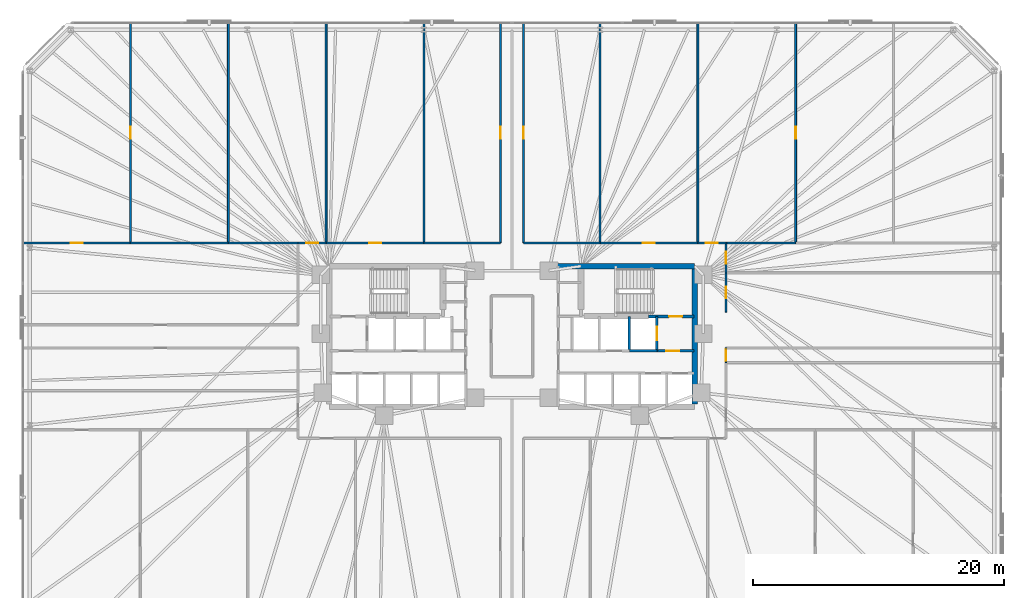
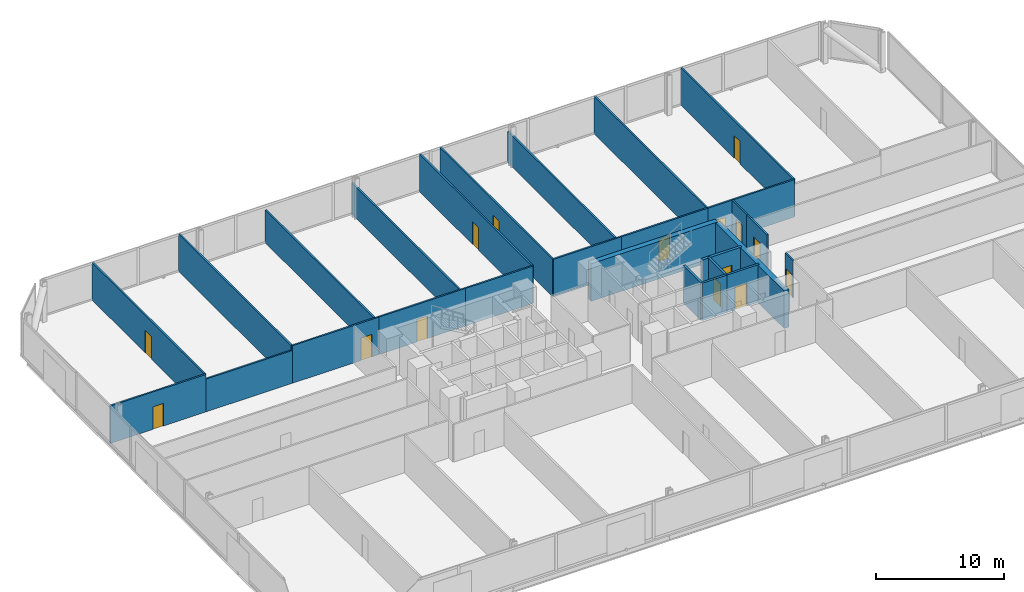
# One storey, part 14 of 17: 29 walls, 15 doors, 15 openings.
"""IFC4 building model written with IfcOpenShell, lengths in metres."""

from ifc_helpers import new_model, si_unit, direction, frame, frame_2d, origin, place, context, subcontext, project, spatial, rectangle, extrude, material, layer, layer_set, type_object, element, fill, save


model = new_model("IFC4")

# Units and contexts
model_context = context("Model", 3, precision=1e-05, world=origin(), true_north=direction((0.0, 1.0)))
body_context = subcontext(model_context, "Body", "Model", "MODEL_VIEW")
ifc_project = project(units=[si_unit("LENGTHUNIT", "METRE"), si_unit("AREAUNIT", "SQUARE_METRE"), si_unit("VOLUMEUNIT", "CUBIC_METRE"), si_unit("PLANEANGLEUNIT", "RADIAN"), si_unit("MASSUNIT", "GRAM", prefix="KILO")], contexts=[model_context])

# Site, building, storey
site_placement = place(None, origin())
site = spatial("IfcSite", under=ifc_project, at=site_placement, CompositionType="ELEMENT")
building_placement = place(site_placement, origin())
building = spatial("IfcBuilding", under=site, at=building_placement, Name="Menara Jurai Vektor", CompositionType="ELEMENT")
storey_placement = place(building_placement, frame((0.0, 0.0, 37.0)))
storey = spatial("IfcBuildingStorey", under=building, at=storey_placement, Name="L08", CompositionType="ELEMENT", Elevation=37.0)

# Wall, opening, door
ifc_material_1 = material(Name="Concrete C40/50", Category="concrete")
ifc_layer_1 = layer(ifc_material_1, 0.25)
ifc_layer_set_1 = layer_set([ifc_layer_1], Name="Concrete C40/50")
wall_type_1 = type_object("IfcWallType", Name="INT-WALL-CORE-250", PredefinedType="STANDARD", material=ifc_layer_set_1)
wall_1_placement = place(storey_placement, frame((10.89990234375, 1.60009765625, 0.0), z_axis=(0.0, 0.0, 1.0), x_axis=(1.0, 0.0, 0.0)))
wall_1 = element("IfcWall", 1, at=wall_1_placement, inside=storey, type_object=wall_type_1, Name="Interior Wall IW-250 L08", PredefinedType="STANDARD", context=body_context, shape_type="SweptSolid", body=[
    extrude(rectangle(XDim=3.60009765625, YDim=0.25, at=frame_2d((1.800048828125, 0.0))), origin(), (0.0, 0.0, 1.0), 3.574951171875),
])
opening_1_placement = place(wall_1_placement, frame((1.6201171875, 0.0, 0.0)))
opening_1 = element("IfcOpeningElement", 2, at=opening_1_placement, cuts=wall_1, Name="Opening D-L08-ST2", PredefinedType="OPENING", context=body_context, shape_type="SweptSolid", body=[
    extrude(rectangle(XDim=1.050048828125, YDim=2.14990234375, at=frame_2d((0.52490234375, 1.074951171875))), frame((0.0, 0.135009765625, 0.0), z_axis=(0.0, -1.0, 0.0), x_axis=(1.0, 0.0, 0.0)), (0.0, 0.0, 1.0), 0.27001953125),
])
ifc_material_2 = material(Name="Fire-Rated Steel Door", Category="steel")
door_type_1 = type_object("IfcDoorType", Name="DR-STAIR-1050", OperationType="NOTDEFINED", PredefinedType="DOOR", material=ifc_material_2)
door_1_placement = place(opening_1_placement, origin())
door_1 = element("IfcDoor", 3, at=door_1_placement, inside=storey, type_object=door_type_1, Name="Exit Stair ST2 Door L08", OperationType="SINGLE_SWING_LEFT", OverallHeight=2.14990234375, OverallWidth=1.050048828125, PredefinedType="DOOR", context=body_context, shape_type="SweptSolid", body=[
    extrude(rectangle(XDim=1.050048828125, YDim=2.14990234375, at=frame_2d((0.52490234375, 1.074951171875))), frame((0.0, 0.02490234375, 0.0), z_axis=(0.0, -1.0, 0.0), x_axis=(1.0, 0.0, 0.0)), (0.0, 0.0, 1.0), 0.050048828125),
])
fill(opening_1, door_1)

wall_2_placement = place(storey_placement, frame((11.550048828125, -1.14990234375, 0.0), z_axis=(0.0, 0.0, 1.0), x_axis=(0.0, 1.0, 0.0)))
wall_2 = element("IfcWall", 4, at=wall_2_placement, inside=storey, type_object=wall_type_1, Name="Interior Wall IW-250 L08", PredefinedType="STANDARD", context=body_context, shape_type="SweptSolid", body=[
    extrude(rectangle(XDim=2.75, YDim=0.199951171875, at=frame_2d((1.375, 0.0))), origin(), (0.0, 0.0, 1.0), 3.574951171875),
])
opening_2_placement = place(wall_2_placement, frame((0.824951171875, 0.0, 0.0)))
opening_2 = element("IfcOpeningElement", 5, at=opening_2_placement, cuts=wall_2, Name="Opening LD-L08-FL2", PredefinedType="OPENING", context=body_context, shape_type="SweptSolid", body=[
    extrude(rectangle(XDim=1.10009765625, YDim=2.14990234375, at=frame_2d((0.550048828125, 1.074951171875))), frame((0.0, 0.10986328125, 0.0), z_axis=(0.0, -1.0, 0.0), x_axis=(1.0, 0.0, 0.0)), (0.0, 0.0, 1.0), 0.219970703125),
])
ifc_material_3 = material(Name="Stainless Steel Sliding Lift Landing Door", Category="steel")
door_type_2 = type_object("IfcDoorType", Name="DR-LIFT-FIRE-1100", OperationType="NOTDEFINED", PredefinedType="DOOR", material=ifc_material_3)
door_2_placement = place(opening_2_placement, origin())
door_2 = element("IfcDoor", 6, at=door_2_placement, inside=storey, type_object=door_type_2, Name="Lift Landing Door FL2 L08", OperationType="SLIDING_TO_RIGHT", OverallHeight=2.14990234375, OverallWidth=1.10009765625, PredefinedType="DOOR", context=body_context, shape_type="SweptSolid", body=[
    extrude(rectangle(XDim=1.10009765625, YDim=2.14990234375, at=frame_2d((0.550048828125, 1.074951171875))), frame((0.0, 0.02490234375, 0.0), z_axis=(0.0, -1.0, 0.0), x_axis=(1.0, 0.0, 0.0)), (0.0, 0.0, 1.0), 0.050048828125),
])
fill(opening_2, door_2)

# Wall
wall_3_placement = place(storey_placement, frame((9.35009765625, -1.14990234375, 0.0), z_axis=(0.0, 0.0, 1.0), x_axis=(0.0, 1.0, 0.0)))
element("IfcWall", 7, at=wall_3_placement, inside=storey, type_object=wall_type_1, Name="Interior Wall IW-250 L08", PredefinedType="STANDARD", context=body_context, shape_type="SweptSolid", body=[
    extrude(rectangle(XDim=2.75, YDim=0.199951171875, at=frame_2d((1.375, 0.0))), origin(), (0.0, 0.0, 1.0), 3.574951171875),
])

# Wall, opening, door
wall_4_placement = place(storey_placement, frame((11.550048828125, -1.14990234375, 0.0), z_axis=(0.0, 0.0, 1.0), x_axis=(1.0, 0.0, 0.0)))
wall_4 = element("IfcWall", 8, at=wall_4_placement, inside=storey, type_object=wall_type_1, Name="Interior Wall IW-250 L08", PredefinedType="STANDARD", context=body_context, shape_type="SweptSolid", body=[
    extrude(rectangle(XDim=2.949951171875, YDim=0.199951171875, at=frame_2d((1.47509765625, 0.0))), origin(), (0.0, 0.0, 1.0), 3.574951171875),
])
opening_3_placement = place(wall_4_placement, frame((0.75, 0.0, 0.0)))
opening_3 = element("IfcOpeningElement", 9, at=opening_3_placement, cuts=wall_4, Name="Opening D-L08-FFE", PredefinedType="OPENING", context=body_context, shape_type="SweptSolid", body=[
    extrude(rectangle(XDim=1.050048828125, YDim=2.179931640625, at=frame_2d((0.52490234375, 1.08984375))), frame((0.0, 0.10986328125, 0.0), z_axis=(0.0, -1.0, 0.0), x_axis=(1.0, 0.0, 0.0)), (0.0, 0.0, 1.0), 0.219970703125),
])
ifc_material_4 = material(Name="Fire-Rated Timber Door", Category="wood")
door_type_3 = type_object("IfcDoorType", Name="DR-LOBBY-1050", OperationType="NOTDEFINED", PredefinedType="DOOR", material=ifc_material_4)
door_3_placement = place(opening_3_placement, origin())
door_3 = element("IfcDoor", 10, at=door_3_placement, inside=storey, type_object=door_type_3, Name="Fire Lift Lobby Door E L08", OperationType="SINGLE_SWING_LEFT", OverallHeight=2.179931640625, OverallWidth=1.050048828125, PredefinedType="DOOR", context=body_context, shape_type="SweptSolid", body=[
    extrude(rectangle(XDim=1.050048828125, YDim=2.179931640625, at=frame_2d((0.52490234375, 1.08984375))), frame((0.0, 0.02490234375, 0.0), z_axis=(0.0, -1.0, 0.0), x_axis=(1.0, 0.0, 0.0)), (0.0, 0.0, 1.0), 0.050048828125),
])
fill(opening_3, door_3)

# Wall
wall_5_placement = place(storey_placement, frame((9.35009765625, -1.14990234375, 0.0), z_axis=(0.0, 0.0, 1.0), x_axis=(1.0, 0.0, 0.0)))
element("IfcWall", 11, at=wall_5_placement, inside=storey, type_object=wall_type_1, Name="Interior Wall IW-250 L08", PredefinedType="STANDARD", context=body_context, shape_type="SweptSolid", body=[
    extrude(rectangle(XDim=2.199951171875, YDim=0.199951171875, at=frame_2d((1.10009765625, 0.0))), origin(), (0.0, 0.0, 1.0), 3.574951171875),
])

# Wall, opening, door
ifc_material_5 = material(Name="Gypsum Fireboard Partition", Category="gypsum")
ifc_layer_2 = layer(ifc_material_5, 0.14990234375)
ifc_layer_set_2 = layer_set([ifc_layer_2], Name="Gypsum Fireboard Partition")
wall_type_2 = type_object("IfcWallType", Name="INT-WALL-CORR-150", PredefinedType="PARTITIONING", material=ifc_layer_set_2)
wall_6_placement = place(storey_placement, frame((-17.05908203125, 7.449951171875, 0.0), z_axis=(0.0, 0.0, 1.0), x_axis=(1.0, 0.0, 0.0)))
wall_6 = element("IfcWall", 12, at=wall_6_placement, inside=storey, type_object=wall_type_2, Name="Interior Wall IW-150 L08", PredefinedType="PARTITIONING", context=body_context, shape_type="SweptSolid", body=[
    extrude(rectangle(XDim=2.239013671875, YDim=0.14990234375, at=frame_2d((1.11962890625, 0.0))), origin(), (0.0, 0.0, 1.0), 3.574951171875),
])
opening_4_placement = place(wall_6_placement, frame((0.64453125, 0.0, 0.0)))
opening_4 = element("IfcOpeningElement", 13, at=opening_4_placement, cuts=wall_6, Name="Opening D08-07", PredefinedType="OPENING", context=body_context, shape_type="SweptSolid", body=[
    extrude(rectangle(XDim=0.949951171875, YDim=2.14990234375, at=frame_2d((0.47509765625, 1.074951171875))), frame((0.0, 0.0849609375, 0.0), z_axis=(0.0, -1.0, 0.0), x_axis=(1.0, 0.0, 0.0)), (0.0, 0.0, 1.0), 0.169921875),
])
ifc_material_6 = material(Name="Solid Core Timber Fire Door", Category="wood")
door_type_4 = type_object("IfcDoorType", Name="DR-ENTRY-950", OperationType="NOTDEFINED", PredefinedType="DOOR", material=ifc_material_6)
door_4_placement = place(opening_4_placement, origin())
door_4 = element("IfcDoor", 14, at=door_4_placement, inside=storey, type_object=door_type_4, Name="Interior Door D08-07", OperationType="SINGLE_SWING_RIGHT", OverallHeight=2.14990234375, OverallWidth=0.949951171875, PredefinedType="DOOR", context=body_context, shape_type="SweptSolid", body=[
    extrude(rectangle(XDim=0.949951171875, YDim=2.14990234375, at=frame_2d((0.47509765625, 1.074951171875))), frame((0.0, 0.02490234375, 0.0), z_axis=(0.0, -1.0, 0.0), x_axis=(1.0, 0.0, 0.0)), (0.0, 0.0, 1.0), 0.050048828125),
])
fill(opening_4, door_4)

wall_7_placement = place(storey_placement, frame((-14.820068359375, 7.449951171875, 0.0), z_axis=(0.0, 0.0, 1.0), x_axis=(1.0, 0.0, 0.0)))
wall_7 = element("IfcWall", 15, at=wall_7_placement, inside=storey, type_object=wall_type_2, Name="Interior Wall IW-150 L08", PredefinedType="PARTITIONING", context=body_context, shape_type="SweptSolid", body=[
    extrude(rectangle(XDim=7.800048828125, YDim=0.14990234375, at=frame_2d((3.89990234375, 0.0))), origin(), (0.0, 0.0, 1.0), 3.574951171875),
])
opening_5_placement = place(wall_7_placement, frame((3.425048828125, 0.0, 0.0)))
opening_5 = element("IfcOpeningElement", 16, at=opening_5_placement, cuts=wall_7, Name="Opening D08-08", PredefinedType="OPENING", context=body_context, shape_type="SweptSolid", body=[
    extrude(rectangle(XDim=0.949951171875, YDim=2.14990234375, at=frame_2d((0.47509765625, 1.074951171875))), frame((0.0, 0.0849609375, 0.0), z_axis=(0.0, -1.0, 0.0), x_axis=(1.0, 0.0, 0.0)), (0.0, 0.0, 1.0), 0.169921875),
])
door_5_placement = place(opening_5_placement, origin())
door_5 = element("IfcDoor", 17, at=door_5_placement, inside=storey, type_object=door_type_4, Name="Interior Door D08-08", OperationType="SINGLE_SWING_LEFT", OverallHeight=2.14990234375, OverallWidth=0.949951171875, PredefinedType="DOOR", context=body_context, shape_type="SweptSolid", body=[
    extrude(rectangle(XDim=0.949951171875, YDim=2.14990234375, at=frame_2d((0.47509765625, 1.074951171875))), frame((0.0, 0.02490234375, 0.0), z_axis=(0.0, -1.0, 0.0), x_axis=(1.0, 0.0, 0.0)), (0.0, 0.0, 1.0), 0.050048828125),
])
fill(opening_5, door_5)

# Wall
wall_8_placement = place(storey_placement, frame((-7.02001953125, 7.449951171875, 0.0), z_axis=(0.0, 0.0, 1.0), x_axis=(1.0, 0.0, 0.0)))
element("IfcWall", 18, at=wall_8_placement, inside=storey, type_object=wall_type_2, Name="Interior Wall IW-150 L08", PredefinedType="PARTITIONING", context=body_context, shape_type="SweptSolid", body=[
    extrude(rectangle(XDim=6.10009765625, YDim=0.14990234375, at=frame_2d((3.050048828125, 0.0))), origin(), (0.0, 0.0, 1.0), 3.574951171875),
])

# Wall, opening, door
wall_9_placement = place(storey_placement, frame((-0.919921875, 7.449951171875, 0.0), z_axis=(0.0, 0.0, 1.0), x_axis=(0.0, 1.0, 0.0)))
wall_9 = element("IfcWall", 19, at=wall_9_placement, inside=storey, type_object=wall_type_2, Name="Interior Wall IW-150 L08", PredefinedType="PARTITIONING", context=body_context, shape_type="SweptSolid", body=[
    extrude(rectangle(XDim=17.550048828125, YDim=0.14990234375, at=frame_2d((8.77490234375, 0.0))), origin(), (0.0, 0.0, 1.0), 3.574951171875),
])
opening_6_placement = place(wall_9_placement, frame((8.300048828125, 0.0, 0.0)))
opening_6 = element("IfcOpeningElement", 20, at=opening_6_placement, cuts=wall_9, Name="Opening D08-09", PredefinedType="OPENING", context=body_context, shape_type="SweptSolid", body=[
    extrude(rectangle(XDim=0.949951171875, YDim=2.14990234375, at=frame_2d((0.47509765625, 1.074951171875))), frame((0.0, 0.0849609375, 0.0), z_axis=(0.0, -1.0, 0.0), x_axis=(1.0, 0.0, 0.0)), (0.0, 0.0, 1.0), 0.169921875),
])
door_6_placement = place(opening_6_placement, origin())
door_6 = element("IfcDoor", 21, at=door_6_placement, inside=storey, type_object=door_type_4, Name="Interior Door D08-09", OperationType="SINGLE_SWING_RIGHT", OverallHeight=2.14990234375, OverallWidth=0.949951171875, PredefinedType="DOOR", context=body_context, shape_type="SweptSolid", body=[
    extrude(rectangle(XDim=0.949951171875, YDim=2.14990234375, at=frame_2d((0.47509765625, 1.074951171875))), frame((0.0, 0.02490234375, 0.0), z_axis=(0.0, -1.0, 0.0), x_axis=(1.0, 0.0, 0.0)), (0.0, 0.0, 1.0), 0.050048828125),
])
fill(opening_6, door_6)

wall_10_placement = place(storey_placement, frame((0.919921875, 7.449951171875, 0.0), z_axis=(0.0, 0.0, 1.0), x_axis=(0.0, 1.0, 0.0)))
wall_10 = element("IfcWall", 22, at=wall_10_placement, inside=storey, type_object=wall_type_2, Name="Interior Wall IW-150 L08", PredefinedType="PARTITIONING", context=body_context, shape_type="SweptSolid", body=[
    extrude(rectangle(XDim=17.550048828125, YDim=0.14990234375, at=frame_2d((8.77490234375, 0.0))), origin(), (0.0, 0.0, 1.0), 3.574951171875),
])
opening_7_placement = place(wall_10_placement, frame((8.300048828125, 0.0, 0.0)))
opening_7 = element("IfcOpeningElement", 23, at=opening_7_placement, cuts=wall_10, Name="Opening D08-10", PredefinedType="OPENING", context=body_context, shape_type="SweptSolid", body=[
    extrude(rectangle(XDim=0.949951171875, YDim=2.14990234375, at=frame_2d((0.47509765625, 1.074951171875))), frame((0.0, 0.0849609375, 0.0), z_axis=(0.0, -1.0, 0.0), x_axis=(1.0, 0.0, 0.0)), (0.0, 0.0, 1.0), 0.169921875),
])
door_7_placement = place(opening_7_placement, origin())
door_7 = element("IfcDoor", 24, at=door_7_placement, inside=storey, type_object=door_type_4, Name="Interior Door D08-10", OperationType="SINGLE_SWING_LEFT", OverallHeight=2.14990234375, OverallWidth=0.949951171875, PredefinedType="DOOR", context=body_context, shape_type="SweptSolid", body=[
    extrude(rectangle(XDim=0.949951171875, YDim=2.14990234375, at=frame_2d((0.47509765625, 1.074951171875))), frame((0.0, 0.02490234375, 0.0), z_axis=(0.0, -1.0, 0.0), x_axis=(1.0, 0.0, 0.0)), (0.0, 0.0, 1.0), 0.050048828125),
])
fill(opening_7, door_7)

# Wall
wall_11_placement = place(storey_placement, frame((0.919921875, 7.449951171875, 0.0), z_axis=(0.0, 0.0, 1.0), x_axis=(1.0, 0.0, 0.0)))
element("IfcWall", 25, at=wall_11_placement, inside=storey, type_object=wall_type_2, Name="Interior Wall IW-150 L08", PredefinedType="PARTITIONING", context=body_context, shape_type="SweptSolid", body=[
    extrude(rectangle(XDim=6.10009765625, YDim=0.14990234375, at=frame_2d((3.050048828125, 0.0))), origin(), (0.0, 0.0, 1.0), 3.574951171875),
])

# Wall, opening, door
wall_12_placement = place(storey_placement, frame((7.02001953125, 7.449951171875, 0.0), z_axis=(0.0, 0.0, 1.0), x_axis=(1.0, 0.0, 0.0)))
wall_12 = element("IfcWall", 26, at=wall_12_placement, inside=storey, type_object=wall_type_2, Name="Interior Wall IW-150 L08", PredefinedType="PARTITIONING", context=body_context, shape_type="SweptSolid", body=[
    extrude(rectangle(XDim=7.800048828125, YDim=0.14990234375, at=frame_2d((3.89990234375, 0.0))), origin(), (0.0, 0.0, 1.0), 3.574951171875),
])
opening_8_placement = place(wall_12_placement, frame((3.425048828125, 0.0, 0.0)))
opening_8 = element("IfcOpeningElement", 27, at=opening_8_placement, cuts=wall_12, Name="Opening D08-11", PredefinedType="OPENING", context=body_context, shape_type="SweptSolid", body=[
    extrude(rectangle(XDim=0.949951171875, YDim=2.14990234375, at=frame_2d((0.47509765625, 1.074951171875))), frame((0.0, 0.0849609375, 0.0), z_axis=(0.0, -1.0, 0.0), x_axis=(1.0, 0.0, 0.0)), (0.0, 0.0, 1.0), 0.169921875),
])
door_8_placement = place(opening_8_placement, origin())
door_8 = element("IfcDoor", 28, at=door_8_placement, inside=storey, type_object=door_type_4, Name="Interior Door D08-11", OperationType="SINGLE_SWING_RIGHT", OverallHeight=2.14990234375, OverallWidth=0.949951171875, PredefinedType="DOOR", context=body_context, shape_type="SweptSolid", body=[
    extrude(rectangle(XDim=0.949951171875, YDim=2.14990234375, at=frame_2d((0.47509765625, 1.074951171875))), frame((0.0, 0.02490234375, 0.0), z_axis=(0.0, -1.0, 0.0), x_axis=(1.0, 0.0, 0.0)), (0.0, 0.0, 1.0), 0.050048828125),
])
fill(opening_8, door_8)

wall_13_placement = place(storey_placement, frame((14.820068359375, 7.449951171875, 0.0), z_axis=(0.0, 0.0, 1.0), x_axis=(1.0, 0.0, 0.0)))
wall_13 = element("IfcWall", 29, at=wall_13_placement, inside=storey, type_object=wall_type_2, Name="Interior Wall IW-150 L08", PredefinedType="PARTITIONING", context=body_context, shape_type="SweptSolid", body=[
    extrude(rectangle(XDim=2.239013671875, YDim=0.14990234375, at=frame_2d((1.11962890625, 0.0))), origin(), (0.0, 0.0, 1.0), 3.574951171875),
])
opening_9_placement = place(wall_13_placement, frame((0.64453125, 0.0, 0.0)))
opening_9 = element("IfcOpeningElement", 30, at=opening_9_placement, cuts=wall_13, Name="Opening D08-12", PredefinedType="OPENING", context=body_context, shape_type="SweptSolid", body=[
    extrude(rectangle(XDim=0.949951171875, YDim=2.14990234375, at=frame_2d((0.47509765625, 1.074951171875))), frame((0.0, 0.0849609375, 0.0), z_axis=(0.0, -1.0, 0.0), x_axis=(1.0, 0.0, 0.0)), (0.0, 0.0, 1.0), 0.169921875),
])
door_9_placement = place(opening_9_placement, origin())
door_9 = element("IfcDoor", 31, at=door_9_placement, inside=storey, type_object=door_type_4, Name="Interior Door D08-12", OperationType="SINGLE_SWING_LEFT", OverallHeight=2.14990234375, OverallWidth=0.949951171875, PredefinedType="DOOR", context=body_context, shape_type="SweptSolid", body=[
    extrude(rectangle(XDim=0.949951171875, YDim=2.14990234375, at=frame_2d((0.47509765625, 1.074951171875))), frame((0.0, 0.02490234375, 0.0), z_axis=(0.0, -1.0, 0.0), x_axis=(1.0, 0.0, 0.0)), (0.0, 0.0, 1.0), 0.050048828125),
])
fill(opening_9, door_9)

wall_14_placement = place(storey_placement, frame((17.05908203125, -2.0859375, 0.0), z_axis=(0.0, 0.0, 1.0), x_axis=(0.0, 1.0, 0.0)))
wall_14 = element("IfcWall", 32, at=wall_14_placement, inside=storey, type_object=wall_type_2, Name="Interior Wall IW-150 L08", PredefinedType="PARTITIONING", context=body_context, shape_type="SweptSolid", body=[
    extrude(rectangle(XDim=1.166015625, YDim=0.14990234375, at=frame_2d((0.5830078125, 0.0))), origin(), (0.0, 0.0, 1.0), 3.574951171875),
])
opening_10_placement = place(wall_14_placement, frame((0.1201171875, 0.0, 0.0)))
opening_10 = element("IfcOpeningElement", 33, at=opening_10_placement, cuts=wall_14, Name="Opening D08-22", PredefinedType="OPENING", context=body_context, shape_type="SweptSolid", body=[
    extrude(rectangle(XDim=0.926025390625, YDim=2.14990234375, at=frame_2d((0.462890625, 1.074951171875))), frame((0.0, 0.0849609375, 0.0), z_axis=(0.0, -1.0, 0.0), x_axis=(1.0, 0.0, 0.0)), (0.0, 0.0, 1.0), 0.169921875),
])
door_10_placement = place(opening_10_placement, origin())
door_10 = element("IfcDoor", 34, at=door_10_placement, inside=storey, type_object=door_type_4, Name="Interior Door D08-22", OperationType="SINGLE_SWING_LEFT", OverallHeight=2.14990234375, OverallWidth=0.926025390625, PredefinedType="DOOR", context=body_context, shape_type="SweptSolid", body=[
    extrude(rectangle(XDim=0.926025390625, YDim=2.14990234375, at=frame_2d((0.462890625, 1.074951171875))), frame((0.0, 0.02490234375, 0.0), z_axis=(0.0, -1.0, 0.0), x_axis=(1.0, 0.0, 0.0)), (0.0, 0.0, 1.0), 0.050048828125),
])
fill(opening_10, door_10)

wall_15_placement = place(storey_placement, frame((17.05908203125, 1.93701171875, 0.0), z_axis=(0.0, 0.0, 1.0), x_axis=(0.0, 1.0, 0.0)))
wall_15 = element("IfcWall", 35, at=wall_15_placement, inside=storey, type_object=wall_type_2, Name="Interior Wall IW-150 L08", PredefinedType="PARTITIONING", context=body_context, shape_type="SweptSolid", body=[
    extrude(rectangle(XDim=3.12890625, YDim=0.14990234375, at=frame_2d((1.564453125, 0.0))), origin(), (0.0, 0.0, 1.0), 3.574951171875),
])
opening_11_placement = place(wall_15_placement, frame((1.089599609375, 0.0, 0.0)))
opening_11 = element("IfcOpeningElement", 36, at=opening_11_placement, cuts=wall_15, Name="Opening D08-23", PredefinedType="OPENING", context=body_context, shape_type="SweptSolid", body=[
    extrude(rectangle(XDim=0.949951171875, YDim=2.14990234375, at=frame_2d((0.47509765625, 1.074951171875))), frame((0.0, 0.0849609375, 0.0), z_axis=(0.0, -1.0, 0.0), x_axis=(1.0, 0.0, 0.0)), (0.0, 0.0, 1.0), 0.169921875),
])
door_11_placement = place(opening_11_placement, origin())
door_11 = element("IfcDoor", 37, at=door_11_placement, inside=storey, type_object=door_type_4, Name="Interior Door D08-23", OperationType="SINGLE_SWING_RIGHT", OverallHeight=2.14990234375, OverallWidth=0.949951171875, PredefinedType="DOOR", context=body_context, shape_type="SweptSolid", body=[
    extrude(rectangle(XDim=0.949951171875, YDim=2.14990234375, at=frame_2d((0.47509765625, 1.074951171875))), frame((0.0, 0.02490234375, 0.0), z_axis=(0.0, -1.0, 0.0), x_axis=(1.0, 0.0, 0.0)), (0.0, 0.0, 1.0), 0.050048828125),
])
fill(opening_11, door_11)

wall_16_placement = place(storey_placement, frame((17.05908203125, 5.06591796875, 0.0), z_axis=(0.0, 0.0, 1.0), x_axis=(0.0, 1.0, 0.0)))
wall_16 = element("IfcWall", 38, at=wall_16_placement, inside=storey, type_object=wall_type_2, Name="Interior Wall IW-150 L08", PredefinedType="PARTITIONING", context=body_context, shape_type="SweptSolid", body=[
    extrude(rectangle(XDim=2.384033203125, YDim=0.14990234375, at=frame_2d((1.19189453125, 0.0))), origin(), (0.0, 0.0, 1.0), 3.574951171875),
])
opening_12_placement = place(wall_16_placement, frame((0.717041015625, 0.0, 0.0)))
opening_12 = element("IfcOpeningElement", 39, at=opening_12_placement, cuts=wall_16, Name="Opening D08-24", PredefinedType="OPENING", context=body_context, shape_type="SweptSolid", body=[
    extrude(rectangle(XDim=0.949951171875, YDim=2.14990234375, at=frame_2d((0.47509765625, 1.074951171875))), frame((0.0, 0.0849609375, 0.0), z_axis=(0.0, -1.0, 0.0), x_axis=(1.0, 0.0, 0.0)), (0.0, 0.0, 1.0), 0.169921875),
])
door_12_placement = place(opening_12_placement, origin())
door_12 = element("IfcDoor", 40, at=door_12_placement, inside=storey, type_object=door_type_4, Name="Interior Door D08-24", OperationType="SINGLE_SWING_LEFT", OverallHeight=2.14990234375, OverallWidth=0.949951171875, PredefinedType="DOOR", context=body_context, shape_type="SweptSolid", body=[
    extrude(rectangle(XDim=0.949951171875, YDim=2.14990234375, at=frame_2d((0.47509765625, 1.074951171875))), frame((0.0, 0.02490234375, 0.0), z_axis=(0.0, -1.0, 0.0), x_axis=(1.0, 0.0, 0.0)), (0.0, 0.0, 1.0), 0.050048828125),
])
fill(opening_12, door_12)

wall_17_placement = place(storey_placement, frame((-30.419921875, 7.449951171875, 0.0), z_axis=(0.0, 0.0, 1.0), x_axis=(0.0, 1.0, 0.0)))
wall_17 = element("IfcWall", 41, at=wall_17_placement, inside=storey, type_object=wall_type_2, Name="Interior Wall IW-150 L08", PredefinedType="PARTITIONING", context=body_context, shape_type="SweptSolid", body=[
    extrude(rectangle(XDim=17.550048828125, YDim=0.14990234375, at=frame_2d((8.77490234375, 0.0))), origin(), (0.0, 0.0, 1.0), 3.574951171875),
])
opening_13_placement = place(wall_17_placement, frame((8.300048828125, 0.0, 0.0)))
opening_13 = element("IfcOpeningElement", 42, at=opening_13_placement, cuts=wall_17, Name="Opening D08-26", PredefinedType="OPENING", context=body_context, shape_type="SweptSolid", body=[
    extrude(rectangle(XDim=0.949951171875, YDim=2.14990234375, at=frame_2d((0.47509765625, 1.074951171875))), frame((0.0, 0.0849609375, 0.0), z_axis=(0.0, -1.0, 0.0), x_axis=(1.0, 0.0, 0.0)), (0.0, 0.0, 1.0), 0.169921875),
])
door_13_placement = place(opening_13_placement, origin())
door_13 = element("IfcDoor", 43, at=door_13_placement, inside=storey, type_object=door_type_4, Name="Interior Door D08-26", OperationType="SINGLE_SWING_LEFT", OverallHeight=2.14990234375, OverallWidth=0.949951171875, PredefinedType="DOOR", context=body_context, shape_type="SweptSolid", body=[
    extrude(rectangle(XDim=0.949951171875, YDim=2.14990234375, at=frame_2d((0.47509765625, 1.074951171875))), frame((0.0, 0.02490234375, 0.0), z_axis=(0.0, -1.0, 0.0), x_axis=(1.0, 0.0, 0.0)), (0.0, 0.0, 1.0), 0.050048828125),
])
fill(opening_13, door_13)

wall_18_placement = place(storey_placement, frame((-39.0, 7.449951171875, 0.0), z_axis=(0.0, 0.0, 1.0), x_axis=(1.0, 0.0, 0.0)))
wall_18 = element("IfcWall", 44, at=wall_18_placement, inside=storey, type_object=wall_type_2, Name="Interior Wall IW-150 L08", PredefinedType="PARTITIONING", context=body_context, shape_type="SweptSolid", body=[
    extrude(rectangle(XDim=8.580078125, YDim=0.14990234375, at=frame_2d((4.2900390625, 0.0))), origin(), (0.0, 0.0, 1.0), 3.574951171875),
])
opening_14_placement = place(wall_18_placement, frame((3.81494140625, 0.0, 0.0)))
opening_14 = element("IfcOpeningElement", 45, at=opening_14_placement, cuts=wall_18, Name="Opening D08-25", PredefinedType="OPENING", context=body_context, shape_type="SweptSolid", body=[
    extrude(rectangle(XDim=0.949951171875, YDim=2.14990234375, at=frame_2d((0.47509765625, 1.074951171875))), frame((0.0, 0.0849609375, 0.0), z_axis=(0.0, -1.0, 0.0), x_axis=(1.0, 0.0, 0.0)), (0.0, 0.0, 1.0), 0.169921875),
])
door_14_placement = place(opening_14_placement, origin())
door_14 = element("IfcDoor", 46, at=door_14_placement, inside=storey, type_object=door_type_4, Name="Interior Door D08-25", OperationType="SINGLE_SWING_RIGHT", OverallHeight=2.14990234375, OverallWidth=0.949951171875, PredefinedType="DOOR", context=body_context, shape_type="SweptSolid", body=[
    extrude(rectangle(XDim=0.949951171875, YDim=2.14990234375, at=frame_2d((0.47509765625, 1.074951171875))), frame((0.0, 0.02490234375, 0.0), z_axis=(0.0, -1.0, 0.0), x_axis=(1.0, 0.0, 0.0)), (0.0, 0.0, 1.0), 0.050048828125),
])
fill(opening_14, door_14)

# Walls
wall_19_placement = place(storey_placement, frame((-22.6201171875, 7.449951171875, 0.0), z_axis=(0.0, 0.0, 1.0), x_axis=(0.0, 1.0, 0.0)))
element("IfcWall", 47, at=wall_19_placement, inside=storey, type_object=wall_type_2, Name="Interior Wall IW-150 L08", PredefinedType="PARTITIONING", context=body_context, shape_type="SweptSolid", body=[
    extrude(rectangle(XDim=17.550048828125, YDim=0.14990234375, at=frame_2d((8.77490234375, 0.0))), origin(), (0.0, 0.0, 1.0), 3.574951171875),
])
wall_20_placement = place(storey_placement, frame((-22.6201171875, 7.449951171875, 0.0), z_axis=(0.0, 0.0, 1.0), x_axis=(1.0, 0.0, 0.0)))
element("IfcWall", 48, at=wall_20_placement, inside=storey, type_object=wall_type_2, Name="Interior Wall IW-150 L08", PredefinedType="PARTITIONING", context=body_context, shape_type="SweptSolid", body=[
    extrude(rectangle(XDim=5.56103515625, YDim=0.14990234375, at=frame_2d((2.780517578125, 0.0))), origin(), (0.0, 0.0, 1.0), 3.574951171875),
])
wall_21_placement = place(storey_placement, frame((14.820068359375, 7.449951171875, 0.0), z_axis=(0.0, 0.0, 1.0), x_axis=(0.0, 1.0, 0.0)))
element("IfcWall", 49, at=wall_21_placement, inside=storey, type_object=wall_type_2, Name="Interior Wall IW-150 L08", PredefinedType="PARTITIONING", context=body_context, shape_type="SweptSolid", body=[
    extrude(rectangle(XDim=17.550048828125, YDim=0.14990234375, at=frame_2d((8.77490234375, 0.0))), origin(), (0.0, 0.0, 1.0), 3.574951171875),
])

# Wall, opening, door
wall_22_placement = place(storey_placement, frame((22.6201171875, 7.449951171875, 0.0), z_axis=(0.0, 0.0, 1.0), x_axis=(0.0, 1.0, 0.0)))
wall_22 = element("IfcWall", 50, at=wall_22_placement, inside=storey, type_object=wall_type_2, Name="Interior Wall IW-150 L08", PredefinedType="PARTITIONING", context=body_context, shape_type="SweptSolid", body=[
    extrude(rectangle(XDim=17.550048828125, YDim=0.14990234375, at=frame_2d((8.77490234375, 0.0))), origin(), (0.0, 0.0, 1.0), 3.574951171875),
])
opening_15_placement = place(wall_22_placement, frame((8.300048828125, 0.0, 0.0)))
opening_15 = element("IfcOpeningElement", 51, at=opening_15_placement, cuts=wall_22, Name="Opening D08-27", PredefinedType="OPENING", context=body_context, shape_type="SweptSolid", body=[
    extrude(rectangle(XDim=0.949951171875, YDim=2.14990234375, at=frame_2d((0.47509765625, 1.074951171875))), frame((0.0, 0.0849609375, 0.0), z_axis=(0.0, -1.0, 0.0), x_axis=(1.0, 0.0, 0.0)), (0.0, 0.0, 1.0), 0.169921875),
])
door_15_placement = place(opening_15_placement, origin())
door_15 = element("IfcDoor", 52, at=door_15_placement, inside=storey, type_object=door_type_4, Name="Interior Door D08-27", OperationType="SINGLE_SWING_RIGHT", OverallHeight=2.14990234375, OverallWidth=0.949951171875, PredefinedType="DOOR", context=body_context, shape_type="SweptSolid", body=[
    extrude(rectangle(XDim=0.949951171875, YDim=2.14990234375, at=frame_2d((0.47509765625, 1.074951171875))), frame((0.0, 0.02490234375, 0.0), z_axis=(0.0, -1.0, 0.0), x_axis=(1.0, 0.0, 0.0)), (0.0, 0.0, 1.0), 0.050048828125),
])
fill(opening_15, door_15)

# Walls
wall_23_placement = place(storey_placement, frame((17.05908203125, 7.449951171875, 0.0), z_axis=(0.0, 0.0, 1.0), x_axis=(1.0, 0.0, 0.0)))
element("IfcWall", 53, at=wall_23_placement, inside=storey, type_object=wall_type_2, Name="Interior Wall IW-150 L08", PredefinedType="PARTITIONING", context=body_context, shape_type="SweptSolid", body=[
    extrude(rectangle(XDim=5.56103515625, YDim=0.14990234375, at=frame_2d((2.780517578125, 0.0))), origin(), (0.0, 0.0, 1.0), 3.574951171875),
])
ifc_layer_3 = layer(ifc_material_5, 0.14990234375)
ifc_layer_set_3 = layer_set([ifc_layer_3], Name="Gypsum Fireboard Partition")
wall_type_3 = type_object("IfcWallType", Name="INT-WALL-CORR-150-H1", PredefinedType="PARTITIONING", material=ifc_layer_set_3)
wall_24_placement = place(storey_placement, frame((-30.419921875, 7.449951171875, 0.0), z_axis=(0.0, 0.0, 1.0), x_axis=(1.0, 0.0, 0.0)))
element("IfcWall", 54, at=wall_24_placement, inside=storey, type_object=wall_type_3, Name="Interior Wall IW-150 L08", PredefinedType="PARTITIONING", context=body_context, shape_type="SweptSolid", body=[
    extrude(rectangle(XDim=7.7998046875, YDim=0.14990234375, at=frame_2d((3.89990234375, 0.0))), origin(), (0.0, 0.0, 1.0), 3.125),
])
wall_25_placement = place(storey_placement, frame((-14.820068359375, 7.449951171875, 0.0), z_axis=(0.0, 0.0, 1.0), x_axis=(0.0, 1.0, 0.0)))
element("IfcWall", 55, at=wall_25_placement, inside=storey, type_object=wall_type_3, Name="Interior Wall IW-150 L08", PredefinedType="PARTITIONING", context=body_context, shape_type="SweptSolid", body=[
    extrude(rectangle(XDim=17.550048828125, YDim=0.14990234375, at=frame_2d((8.77490234375, 0.0))), origin(), (0.0, 0.0, 1.0), 3.125),
])
ifc_layer_4 = layer(ifc_material_5, 0.14990234375)
ifc_layer_set_4 = layer_set([ifc_layer_4], Name="Gypsum Fireboard Partition")
wall_type_4 = type_object("IfcWallType", Name="INT-WALL-CORR-150-H2", PredefinedType="PARTITIONING", material=ifc_layer_set_4)
for number, where, z_axis, x_axis, name in (
    (56, (-7.02001953125, 7.449951171875, 0.0), (0.0, 0.0, 1.0), (0.0, 1.0, 0.0), "Interior Wall IW-150 L08"),
    (57, (7.02001953125, 7.449951171875, 0.0), (0.0, 0.0, 1.0), (0.0, 1.0, 0.0), "Interior Wall IW-150 L08"),
):
    element("IfcWall", number, at=place(storey_placement, frame(where, z_axis=z_axis, x_axis=x_axis)), inside=storey, type_object=wall_type_4, Name=name, PredefinedType="PARTITIONING", context=body_context, shape_type="SweptSolid", body=[
        extrude(rectangle(XDim=17.550048828125, YDim=0.14990234375, at=frame_2d((8.77490234375, 0.0))), origin(), (0.0, 0.0, 1.0), 2.97509765625),
    ])
ifc_material_7 = material(Name="Concrete C60/75", Category="concrete")
ifc_layer_5 = layer(ifc_material_7, 0.449951171875)
ifc_layer_set_5 = layer_set([ifc_layer_5], Name="Concrete C60/75")
wall_type_5 = type_object("IfcWallType", Name="STR-WALL-CORE450", PredefinedType="SHEAR", material=ifc_layer_set_5)
wall_26_placement = place(storey_placement, frame((3.14990234375, 5.60009765625, 0.0), z_axis=(0.0, 0.0, 1.0), x_axis=(1.0, 0.0, 0.0)))
element("IfcWall", 58, at=wall_26_placement, inside=storey, type_object=wall_type_5, Name="Core Shear Wall CW-E-N L08", PredefinedType="SHEAR", context=body_context, shape_type="SweptSolid", body=[
    extrude(rectangle(XDim=11.41015625, YDim=0.449951171875, at=frame_2d((5.705078125, 0.0))), origin(), (0.0, 0.0, 1.0), 3.574951171875),
])
wall_27_placement = place(storey_placement, frame((14.56005859375, -5.375, 0.0), z_axis=(0.0, 0.0, 1.0), x_axis=(0.0, 1.0, 0.0)))
element("IfcWall", 59, at=wall_27_placement, inside=storey, type_object=wall_type_5, Name="Core Shear Wall CW-E-E L08", PredefinedType="SHEAR", context=body_context, shape_type="SweptSolid", body=[
    extrude(rectangle(XDim=10.75, YDim=0.449951171875, at=frame_2d((5.375, 0.0))), origin(), (0.0, 0.0, 1.0), 3.574951171875),
])

save(model, "model.ifc")
